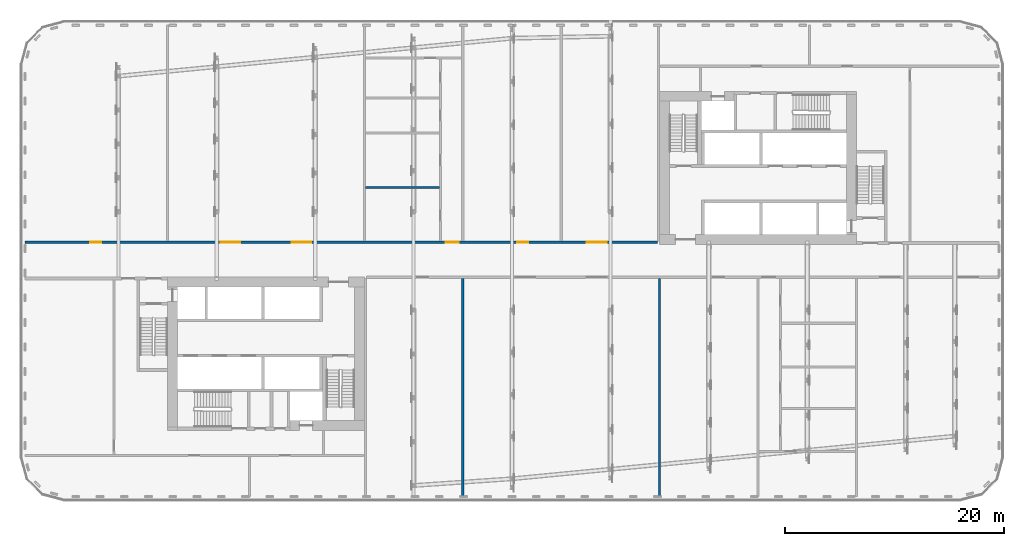
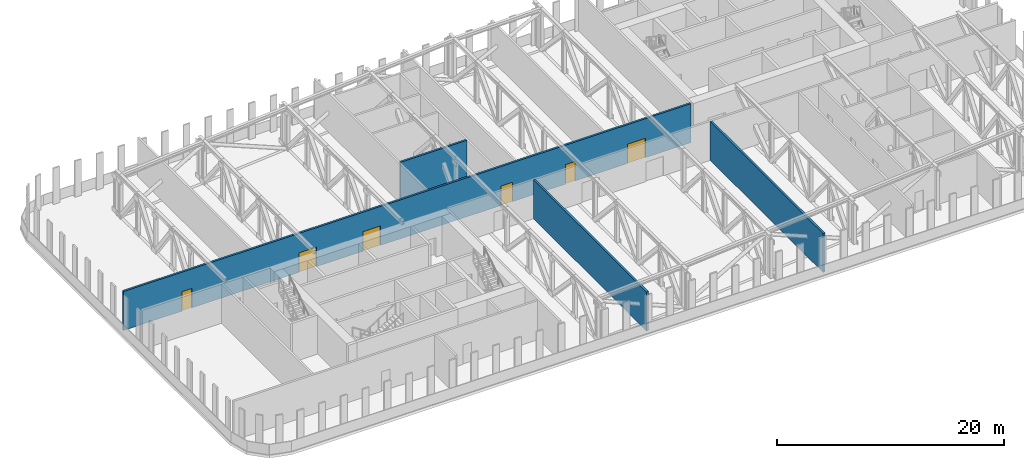
# One storey, part 7 of 22: 6 doors, 4 walls, 6 openings.
"""IFC4 building model written with IfcOpenShell, lengths in metres."""

from ifc_helpers import new_model, si_unit, direction, frame, frame_2d, origin, place, context, subcontext, project, spatial, rectangle, extrude, material, layer, layer_set, type_object, element, fill, save


model = new_model("IFC4")

# Units and contexts
model_context = context("Model", 3, precision=1e-05, world=origin(), true_north=direction((0.0, 1.0)))
body_context = subcontext(model_context, "Body", "Model", "MODEL_VIEW")
ifc_project = project(units=[si_unit("LENGTHUNIT", "METRE"), si_unit("AREAUNIT", "SQUARE_METRE"), si_unit("VOLUMEUNIT", "CUBIC_METRE"), si_unit("PLANEANGLEUNIT", "RADIAN"), si_unit("MASSUNIT", "GRAM", prefix="KILO")], contexts=[model_context])

# Site, building, storey
site_placement = place(None, origin())
site = spatial("IfcSite", under=ifc_project, at=site_placement, CompositionType="ELEMENT")
building_placement = place(site_placement, origin())
building = spatial("IfcBuilding", under=site, at=building_placement, Name="Kajstack Hotel Tower", CompositionType="ELEMENT")
storey_placement = place(building_placement, frame((0.0, 0.0, 99.60009765625)))
storey = spatial("IfcBuildingStorey", under=building, at=storey_placement, Name="L21", CompositionType="ELEMENT", Elevation=99.60009765625)

# Wall
ifc_material_1 = material(Name="Gypsum board on steel studs, mineral wool", Category="steel")
ifc_layer = layer(ifc_material_1, 0.199951171875)
ifc_layer_set = layer_set([ifc_layer], Name="Public partition 200")
wall_type = type_object("IfcWallType", Name="Public partition 200", PredefinedType="PARTITIONING", material=ifc_layer_set)
wall_1_placement = place(storey_placement, frame((-13.39990234375, 6.699951171875, 0.0), z_axis=(0.0, 0.0, 1.0), x_axis=(1.0, 0.0, 0.0)))
element("IfcWall", 1, at=wall_1_placement, inside=storey, type_object=wall_type, Name="Partition C2wP0", PredefinedType="PARTITIONING", context=body_context, shape_type="SweptSolid", body=[
    extrude(rectangle(XDim=6.75, YDim=0.199951171875, at=frame_2d((3.375, 0.0))), origin(), (0.0, 0.0, 1.0), 4.199951171875),
])

# Wall, openings, doors
wall_2_placement = place(storey_placement, frame((-44.550048828125, 1.699951171875, 0.0), z_axis=(0.0, 0.0, 1.0), x_axis=(1.0, 0.0, 0.0)))
wall_2 = element("IfcWall", 2, at=wall_2_placement, inside=storey, type_object=wall_type, Name="Partition FW", PredefinedType="PARTITIONING", context=body_context, shape_type="SweptSolid", body=[
    extrude(rectangle(XDim=57.85009765625, YDim=0.199951171875, at=frame_2d((28.925048828125, 0.0))), origin(), (0.0, 0.0, 1.0), 4.199951171875),
])
opening_1_placement = place(wall_2_placement, frame((51.39990234375, 0.0, 0.0)))
opening_1 = element("IfcOpeningElement", 3, at=opening_1_placement, cuts=wall_2, Name="Opening 21P01", PredefinedType="OPENING", context=body_context, shape_type="SweptSolid", body=[
    extrude(rectangle(XDim=1.800048828125, YDim=2.10009765625, at=frame_2d((0.89990234375, 1.050048828125))), frame((0.0, 0.10986328125, 0.0), z_axis=(0.0, -1.0, 0.0), x_axis=(1.0, 0.0, 0.0)), (0.0, 0.0, 1.0), 0.219970703125),
])
opening_2_placement = place(wall_2_placement, frame((45.050048828125, 0.0, 0.0)))
opening_2 = element("IfcOpeningElement", 4, at=opening_2_placement, cuts=wall_2, Name="Opening 21P02", PredefinedType="OPENING", context=body_context, shape_type="SweptSolid", body=[
    extrude(rectangle(XDim=1.0, YDim=2.10009765625, at=frame_2d((0.5, 1.050048828125))), frame((0.0, 0.10986328125, 0.0), z_axis=(0.0, -1.0, 0.0), x_axis=(1.0, 0.0, 0.0)), (0.0, 0.0, 1.0), 0.219970703125),
])
opening_3_placement = place(wall_2_placement, frame((38.47509765625, 0.0, 0.0)))
opening_3 = element("IfcOpeningElement", 5, at=opening_3_placement, cuts=wall_2, Name="Opening 21P03", PredefinedType="OPENING", context=body_context, shape_type="SweptSolid", body=[
    extrude(rectangle(XDim=1.199951171875, YDim=2.10009765625, at=frame_2d((0.60009765625, 1.050048828125))), frame((0.0, 0.10986328125, 0.0), z_axis=(0.0, -1.0, 0.0), x_axis=(1.0, 0.0, 0.0)), (0.0, 0.0, 1.0), 0.219970703125),
])
opening_4_placement = place(wall_2_placement, frame((24.409912109375, 0.0, 0.0)))
opening_4 = element("IfcOpeningElement", 6, at=opening_4_placement, cuts=wall_2, Name="Opening 21P09", PredefinedType="OPENING", context=body_context, shape_type="SweptSolid", body=[
    extrude(rectangle(XDim=1.800048828125, YDim=2.10009765625, at=frame_2d((0.89990234375, 1.050048828125))), frame((0.0, 0.10986328125, 0.0), z_axis=(0.0, -1.0, 0.0), x_axis=(1.0, 0.0, 0.0)), (0.0, 0.0, 1.0), 0.219970703125),
])
opening_5_placement = place(wall_2_placement, frame((17.889892578125, 0.0, 0.0)))
opening_5 = element("IfcOpeningElement", 7, at=opening_5_placement, cuts=wall_2, Name="Opening 21P10", PredefinedType="OPENING", context=body_context, shape_type="SweptSolid", body=[
    extrude(rectangle(XDim=1.800048828125, YDim=2.10009765625, at=frame_2d((0.89990234375, 1.050048828125))), frame((0.0, 0.10986328125, 0.0), z_axis=(0.0, -1.0, 0.0), x_axis=(1.0, 0.0, 0.0)), (0.0, 0.0, 1.0), 0.219970703125),
])
opening_6_placement = place(wall_2_placement, frame((5.97509765625, 0.0, 0.0)))
opening_6 = element("IfcOpeningElement", 8, at=opening_6_placement, cuts=wall_2, Name="Opening 21P11", PredefinedType="OPENING", context=body_context, shape_type="SweptSolid", body=[
    extrude(rectangle(XDim=1.0, YDim=2.10009765625, at=frame_2d((0.5, 1.050048828125))), frame((0.0, 0.10986328125, 0.0), z_axis=(0.0, -1.0, 0.0), x_axis=(1.0, 0.0, 0.0)), (0.0, 0.0, 1.0), 0.219970703125),
])
ifc_material_2 = material(Name="Timber leaf, fire-rated", Category="wood")
door_type_1 = type_object("IfcDoorType", Name="Public corridor door 1200", OperationType="SINGLE_SWING_LEFT", PredefinedType="DOOR", material=ifc_material_2)
door_1_placement = place(opening_3_placement, origin())
door_1 = element("IfcDoor", 9, at=door_1_placement, inside=storey, type_object=door_type_1, Name="Door 21P03", OperationType="SINGLE_SWING_LEFT", OverallHeight=2.10009765625, OverallWidth=1.199951171875, PredefinedType="DOOR", context=body_context, shape_type="SweptSolid", body=[
    extrude(rectangle(XDim=1.199951171875, YDim=2.10009765625, at=frame_2d((0.60009765625, 1.050048828125))), frame((0.0, 0.02490234375, 0.0), z_axis=(0.0, -1.0, 0.0), x_axis=(1.0, 0.0, 0.0)), (0.0, 0.0, 1.0), 0.050048828125),
])
fill(opening_3, door_1)
ifc_material_3 = material(Name="Glazed timber frame, fire-rated glass", Category="wood")
door_type_2 = type_object("IfcDoorType", Name="Public double door 1800", OperationType="DOUBLE_DOOR_DOUBLE_SWING", PredefinedType="DOOR", material=ifc_material_3)
door_2_placement = place(opening_1_placement, origin())
door_2 = element("IfcDoor", 10, at=door_2_placement, inside=storey, type_object=door_type_2, Name="Door 21P01", OperationType="DOUBLE_DOOR_DOUBLE_SWING", OverallHeight=2.10009765625, OverallWidth=1.800048828125, PredefinedType="DOOR", context=body_context, shape_type="SweptSolid", body=[
    extrude(rectangle(XDim=1.800048828125, YDim=2.10009765625, at=frame_2d((0.89990234375, 1.050048828125))), frame((0.0, 0.02490234375, 0.0), z_axis=(0.0, -1.0, 0.0), x_axis=(1.0, 0.0, 0.0)), (0.0, 0.0, 1.0), 0.050048828125),
])
fill(opening_1, door_2)
door_3_placement = place(opening_4_placement, origin())
door_3 = element("IfcDoor", 11, at=door_3_placement, inside=storey, type_object=door_type_2, Name="Door 21P09", OperationType="DOUBLE_DOOR_DOUBLE_SWING", OverallHeight=2.10009765625, OverallWidth=1.800048828125, PredefinedType="DOOR", context=body_context, shape_type="SweptSolid", body=[
    extrude(rectangle(XDim=1.800048828125, YDim=2.10009765625, at=frame_2d((0.89990234375, 1.050048828125))), frame((0.0, 0.02490234375, 0.0), z_axis=(0.0, -1.0, 0.0), x_axis=(1.0, 0.0, 0.0)), (0.0, 0.0, 1.0), 0.050048828125),
])
fill(opening_4, door_3)
door_4_placement = place(opening_5_placement, origin())
door_4 = element("IfcDoor", 12, at=door_4_placement, inside=storey, type_object=door_type_2, Name="Door 21P10", OperationType="DOUBLE_DOOR_DOUBLE_SWING", OverallHeight=2.10009765625, OverallWidth=1.800048828125, PredefinedType="DOOR", context=body_context, shape_type="SweptSolid", body=[
    extrude(rectangle(XDim=1.800048828125, YDim=2.10009765625, at=frame_2d((0.89990234375, 1.050048828125))), frame((0.0, 0.02490234375, 0.0), z_axis=(0.0, -1.0, 0.0), x_axis=(1.0, 0.0, 0.0)), (0.0, 0.0, 1.0), 0.050048828125),
])
fill(opening_5, door_4)
ifc_material_4 = material(Name="Timber leaf", Category="wood")
door_type_3 = type_object("IfcDoorType", Name="Public room door 1000", OperationType="SINGLE_SWING_LEFT", PredefinedType="DOOR", material=ifc_material_4)
door_5_placement = place(opening_2_placement, origin())
door_5 = element("IfcDoor", 13, at=door_5_placement, inside=storey, type_object=door_type_3, Name="Door 21P02", OperationType="SINGLE_SWING_LEFT", OverallHeight=2.10009765625, OverallWidth=1.0, PredefinedType="DOOR", context=body_context, shape_type="SweptSolid", body=[
    extrude(rectangle(XDim=1.0, YDim=2.10009765625, at=frame_2d((0.5, 1.050048828125))), frame((0.0, 0.02490234375, 0.0), z_axis=(0.0, -1.0, 0.0), x_axis=(1.0, 0.0, 0.0)), (0.0, 0.0, 1.0), 0.050048828125),
])
fill(opening_2, door_5)
door_6_placement = place(opening_6_placement, origin())
door_6 = element("IfcDoor", 14, at=door_6_placement, inside=storey, type_object=door_type_3, Name="Door 21P11", OperationType="SINGLE_SWING_LEFT", OverallHeight=2.10009765625, OverallWidth=1.0, PredefinedType="DOOR", context=body_context, shape_type="SweptSolid", body=[
    extrude(rectangle(XDim=1.0, YDim=2.10009765625, at=frame_2d((0.5, 1.050048828125))), frame((0.0, 0.02490234375, 0.0), z_axis=(0.0, -1.0, 0.0), x_axis=(1.0, 0.0, 0.0)), (0.0, 0.0, 1.0), 0.050048828125),
])
fill(opening_6, door_6)

# Walls
for number, where, z_axis, x_axis, name in (
    (15, (-4.5, -21.550048828125, 0.0), (0.0, 0.0, 1.0), (0.0, 1.0, 0.0), "Partition SPX0"),
    (16, (13.5, -21.550048828125, 0.0), (0.0, 0.0, 1.0), (0.0, 1.0, 0.0), "Partition SPX1"),
):
    element("IfcWall", number, at=place(storey_placement, frame(where, z_axis=z_axis, x_axis=x_axis)), inside=storey, type_object=wall_type, Name=name, PredefinedType="PARTITIONING", context=body_context, shape_type="SweptSolid", body=[
        extrude(rectangle(XDim=19.949951171875, YDim=0.199951171875, at=frame_2d((9.97509765625, 0.0))), origin(), (0.0, 0.0, 1.0), 4.199951171875),
    ])

save(model, "model.ifc")
